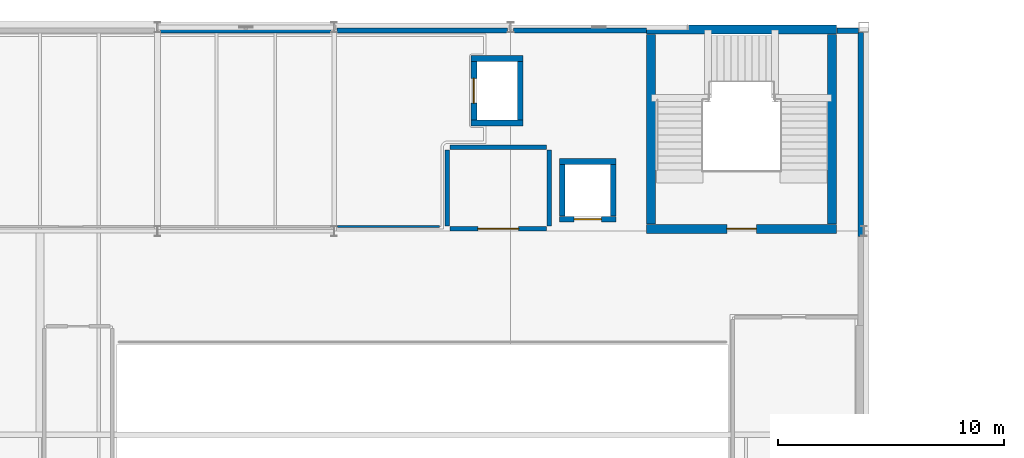
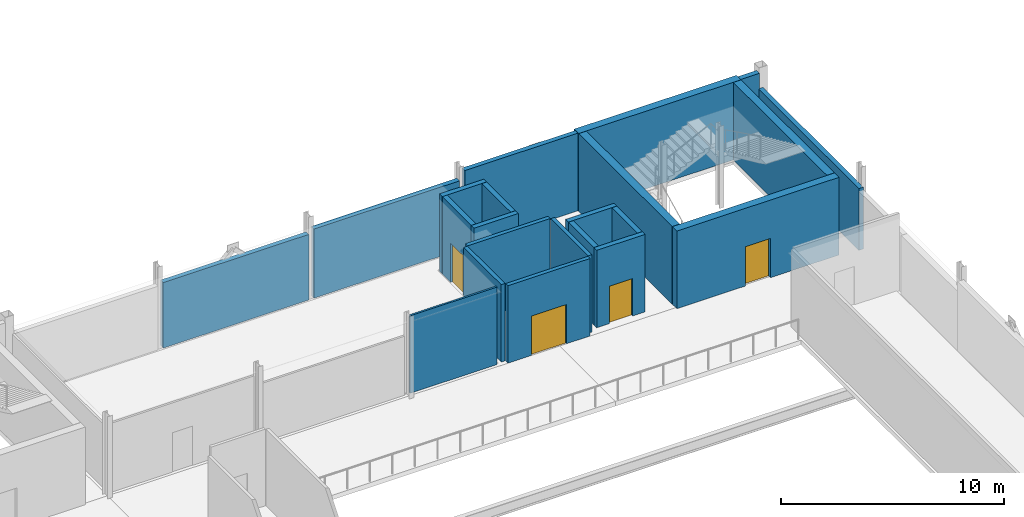
# One storey, part 79 of 85: 22 walls, 4 doors, 4 openings.
"""IFC4 building model written with IfcOpenShell, lengths in metres."""

from ifc_helpers import new_model, si_unit, derived_unit, direction, frame, frame_2d, origin, place, context, subcontext, project, spatial, rectangle, extrude, material, layer, layer_set, type_object, element, fill, save


model = new_model("IFC4")

# Units and contexts
model_context = context("Model", 3, precision=1e-05, world=origin(), true_north=direction((0.0, 1.0)))
body_context = subcontext(model_context, "Body", "Model", "MODEL_VIEW")
ifc_project = project(units=[si_unit("LENGTHUNIT", "METRE"), si_unit("AREAUNIT", "SQUARE_METRE"), si_unit("VOLUMEUNIT", "CUBIC_METRE"), si_unit("PLANEANGLEUNIT", "RADIAN"), si_unit("MASSUNIT", "GRAM", prefix="KILO"), derived_unit("THERMALTRANSMITTANCEUNIT", [(si_unit("POWERUNIT", "WATT"), 1), (si_unit("LENGTHUNIT", "METRE"), -2), (si_unit("THERMODYNAMICTEMPERATUREUNIT", "KELVIN"), -1)])], contexts=[model_context])

# Site, building, storey
site_placement = place(None, origin())
site = spatial("IfcSite", under=ifc_project, at=site_placement, CompositionType="ELEMENT")
building_placement = place(site_placement, origin())
building = spatial("IfcBuilding", under=site, at=building_placement, Name="Nallur Shell Playhouse", CompositionType="ELEMENT")
storey_placement = place(building_placement, frame((0.0, 0.0, 19.800048828125)))
storey = spatial("IfcBuildingStorey", under=building, at=storey_placement, Name="L05", CompositionType="ELEMENT", Elevation=19.800048828125)

# Wall, opening, door
ifc_material_1 = material(Name="Concrete M45", Category="concrete")
ifc_layer_1 = layer(ifc_material_1, 0.39990234375)
ifc_layer_set_1 = layer_set([ifc_layer_1], Name="Concrete M45")
wall_type_1 = type_object("IfcWallType", Name="WL-CORE-400", PredefinedType="SHEAR", material=ifc_layer_set_1)
wall_1_placement = place(storey_placement, frame((93.39990234375, 74.10009765625, 0.0), z_axis=(0.0, 0.0, 1.0), x_axis=(1.0, 0.0, 0.0)))
wall_1 = element("IfcWall", 1, at=wall_1_placement, inside=storey, type_object=wall_type_1, Name="Joint Core JC-4 shear wall S (L05)", PredefinedType="SHEAR", context=body_context, shape_type="SweptSolid", body=[
    extrude(rectangle(XDim=8.400146484375, YDim=0.39990234375, at=frame_2d((4.2001953125, 0.0))), origin(), (0.0, 0.0, 1.0), 4.25),
])
opening_1_placement = place(wall_1_placement, frame((3.550048828125, 0.0, 0.0)))
opening_1 = element("IfcOpeningElement", 2, at=opening_1_placement, cuts=wall_1, Name="Opening FD-ST2", PredefinedType="OPENING", context=body_context, shape_type="SweptSolid", body=[
    extrude(rectangle(XDim=1.300048828125, YDim=2.14990234375, at=frame_2d((0.64990234375, 1.074951171875))), frame((0.0, 0.2099609375, 0.0), z_axis=(0.0, -1.0, 0.0), x_axis=(1.0, 0.0, 0.0)), (0.0, 0.0, 1.0), 0.419921875),
])
ifc_material_2 = material(Name="Galvanised Steel Fire-Rated Stair Door", Category="steel")
door_type_1 = type_object("IfcDoorType", Name="DR-INT-STAIR-R", OperationType="SINGLE_SWING_RIGHT", PredefinedType="DOOR", material=ifc_material_2)
door_1_placement = place(opening_1_placement, origin())
door_1 = element("IfcDoor", 3, at=door_1_placement, inside=storey, type_object=door_type_1, Name="Exit stair ST-04 fire door (L05)", OperationType="SINGLE_SWING_RIGHT", OverallHeight=2.14990234375, OverallWidth=1.300048828125, PredefinedType="DOOR", context=body_context, shape_type="SweptSolid", body=[
    extrude(rectangle(XDim=1.300048828125, YDim=2.14990234375, at=frame_2d((0.64990234375, 1.074951171875))), frame((0.0, 0.02490234375, 0.0), z_axis=(0.0, -1.0, 0.0), x_axis=(1.0, 0.0, 0.0)), (0.0, 0.0, 1.0), 0.050048828125),
])
fill(opening_1, door_1)

# Walls
wall_2_placement = place(storey_placement, frame((101.800048828125, 82.89990234375, 0.0), z_axis=(0.0, 0.0, 1.0), x_axis=(-1.0, 0.0, 0.0)))
element("IfcWall", 4, at=wall_2_placement, inside=storey, type_object=wall_type_1, Name="Joint Core JC-4 shear wall N (L05)", PredefinedType="SHEAR", context=body_context, shape_type="SweptSolid", body=[
    extrude(rectangle(XDim=8.400146484375, YDim=0.39990234375, at=frame_2d((4.2001953125, 0.0))), origin(), (0.0, 0.0, 1.0), 4.25),
])
for number, where, z_axis, x_axis, name in (
    (5, (101.60009765625, 74.31005859375, 0.0), (0.0, 0.0, 1.0), (0.0, 1.0, 0.0), "Joint Core JC-4 shear wall E (L05)"),
    (6, (93.60009765625, 82.68994140625, 0.0), (0.0, 0.0, 1.0), (0.0, -1.0, 0.0), "Joint Core JC-4 shear wall W (L05)"),
):
    element("IfcWall", number, at=place(storey_placement, frame(where, z_axis=z_axis, x_axis=x_axis)), inside=storey, type_object=wall_type_1, Name=name, PredefinedType="SHEAR", context=body_context, shape_type="SweptSolid", body=[
        extrude(rectangle(XDim=8.3798828125, YDim=0.39990234375, at=frame_2d((4.18994140625, 0.0))), origin(), (0.0, 0.0, 1.0), 4.25),
    ])
ifc_material_3 = material(Name="Precast concrete M40", Category="concrete")
ifc_layer_2 = layer(ifc_material_3, 0.239990234375)
ifc_layer_set_2 = layer_set([ifc_layer_2], Name="Precast concrete M40")
wall_type_2 = type_object("IfcWallType", Name="WL-EXT-CLAD240", PredefinedType="ELEMENTEDWALL", material=ifc_layer_set_2)
wall_3_placement = place(storey_placement, frame((71.93310546875, 82.860107421875, 0.0), z_axis=(0.0, 0.0, 1.0), x_axis=(1.0, 0.0, 0.0)))
element("IfcWall", 7, at=wall_3_placement, inside=storey, type_object=wall_type_2, Name="L05 exterior wall EW-L05-207", PredefinedType="ELEMENTEDWALL", context=body_context, shape_type="SweptSolid", body=[
    extrude(rectangle(XDim=7.533935546875, YDim=0.239990234375, at=frame_2d((3.76708984375, 0.0))), origin(), (0.0, 0.0, 1.0), 3.5849609375),
])
wall_4_placement = place(storey_placement, frame((79.73291015625, 82.860107421875, 0.0), z_axis=(0.0, 0.0, 1.0), x_axis=(1.0, 0.0, 0.0)))
element("IfcWall", 8, at=wall_4_placement, inside=storey, type_object=wall_type_2, Name="L05 exterior wall EW-L05-208", PredefinedType="ELEMENTEDWALL", context=body_context, shape_type="SweptSolid", body=[
    extrude(rectangle(XDim=7.5341796875, YDim=0.239990234375, at=frame_2d((3.76708984375, 0.0))), origin(), (0.0, 0.0, 1.0), 3.784912109375),
])
wall_5_placement = place(storey_placement, frame((87.532958984375, 82.860107421875, 0.0), z_axis=(0.0, 0.0, 1.0), x_axis=(1.0, 0.0, 0.0)))
element("IfcWall", 9, at=wall_5_placement, inside=storey, type_object=wall_type_2, Name="L05 exterior wall EW-L05-209", PredefinedType="ELEMENTEDWALL", context=body_context, shape_type="SweptSolid", body=[
    extrude(rectangle(XDim=5.863037109375, YDim=0.239990234375, at=frame_2d((2.931640625, 0.0))), origin(), (0.0, 0.0, 1.0), 4.25),
])
wall_6_placement = place(storey_placement, frame((102.860107421875, 82.76708984375, 0.0), z_axis=(0.0, 0.0, 1.0), x_axis=(0.0, -1.0, 0.0)))
element("IfcWall", 10, at=wall_6_placement, inside=storey, type_object=wall_type_2, Name="L05 exterior wall EW-L05-211", PredefinedType="ELEMENTEDWALL", context=body_context, shape_type="SweptSolid", body=[
    extrude(rectangle(XDim=9.0, YDim=0.239990234375, at=frame_2d((4.5, 0.0))), origin(), (0.0, 0.0, 1.0), 3.385009765625),
])
ifc_layer_3 = layer(ifc_material_3, 0.260009765625)
ifc_layer_set_3 = layer_set([ifc_layer_3], Name="Precast concrete M40")
wall_type_3 = type_object("IfcWallType", Name="WL-EXT-CLAD260", PredefinedType="ELEMENTEDWALL", material=ifc_layer_set_3)
wall_7_placement = place(storey_placement, frame((101.803955078125, 82.85009765625, 0.0), z_axis=(0.0, 0.0, 1.0), x_axis=(1.0, 0.0, 0.0)))
element("IfcWall", 11, at=wall_7_placement, inside=storey, type_object=wall_type_3, Name="L05 exterior wall EW-L05-210", PredefinedType="ELEMENTEDWALL", context=body_context, shape_type="SweptSolid", body=[
    extrude(rectangle(XDim=0.963134765625, YDim=0.260009765625, at=frame_2d((0.4814453125, 0.0))), origin(), (0.0, 0.0, 1.0), 4.25),
])
ifc_material_4 = material(Name="Concrete M30", Category="concrete")
ifc_layer_4 = layer(ifc_material_4, 0.199951171875)
ifc_layer_set_4 = layer_set([ifc_layer_4], Name="Concrete M30")
wall_type_4 = type_object("IfcWallType", Name="WL-PART-AC200", PredefinedType="PARTITIONING", material=ifc_layer_set_4)
wall_8_placement = place(storey_placement, frame((84.60009765625, 74.219970703125, 0.0), z_axis=(0.0, 0.0, 1.0), x_axis=(0.0, 1.0, 0.0)))
element("IfcWall", 12, at=wall_8_placement, inside=storey, type_object=wall_type_4, Name="Firefighting Lobby JC-4 partition IW-L05-0344", PredefinedType="PARTITIONING", context=body_context, shape_type="SweptSolid", body=[
    extrude(rectangle(XDim=3.360107421875, YDim=0.199951171875, at=frame_2d((1.68017578125, 0.0))), origin(), (0.0, 0.0, 1.0), 4.239990234375),
])
wall_9_placement = place(storey_placement, frame((84.719970703125, 77.699951171875, 0.0), z_axis=(0.0, 0.0, 1.0), x_axis=(1.0, 0.0, 0.0)))
element("IfcWall", 13, at=wall_9_placement, inside=storey, type_object=wall_type_4, Name="Firefighting Lobby JC-4 partition IW-L05-0345", PredefinedType="PARTITIONING", context=body_context, shape_type="SweptSolid", body=[
    extrude(rectangle(XDim=4.260009765625, YDim=0.199951171875, at=frame_2d((2.1298828125, 0.0))), origin(), (0.0, 0.0, 1.0), 4.239990234375),
])
wall_10_placement = place(storey_placement, frame((89.10009765625, 77.580078125, 0.0), z_axis=(0.0, 0.0, 1.0), x_axis=(0.0, -1.0, 0.0)))
element("IfcWall", 14, at=wall_10_placement, inside=storey, type_object=wall_type_4, Name="Firefighting Lobby JC-4 partition IW-L05-0346", PredefinedType="PARTITIONING", context=body_context, shape_type="SweptSolid", body=[
    extrude(rectangle(XDim=3.360107421875, YDim=0.199951171875, at=frame_2d((1.68017578125, 0.0))), origin(), (0.0, 0.0, 1.0), 4.239990234375),
])

# Wall, opening, door
wall_11_placement = place(storey_placement, frame((88.97998046875, 74.10009765625, 0.0), z_axis=(0.0, 0.0, 1.0), x_axis=(-1.0, 0.0, 0.0)))
wall_11 = element("IfcWall", 15, at=wall_11_placement, inside=storey, type_object=wall_type_4, Name="Firefighting Lobby JC-4 partition IW-L05-0347", PredefinedType="PARTITIONING", context=body_context, shape_type="SweptSolid", body=[
    extrude(rectangle(XDim=4.260009765625, YDim=0.199951171875, at=frame_2d((2.1298828125, 0.0))), origin(), (0.0, 0.0, 1.0), 4.239990234375),
])
opening_2_placement = place(wall_11_placement, frame((1.22998046875, 0.0, 0.0)))
opening_2 = element("IfcOpeningElement", 16, at=opening_2_placement, cuts=wall_11, Name="Opening FD-FL1", PredefinedType="OPENING", context=body_context, shape_type="SweptSolid", body=[
    extrude(rectangle(XDim=1.800048828125, YDim=2.14990234375, at=frame_2d((0.89990234375, 1.074951171875))), frame((0.0, 0.10986328125, 0.0), z_axis=(0.0, -1.0, 0.0), x_axis=(1.0, 0.0, 0.0)), (0.0, 0.0, 1.0), 0.219970703125),
])
ifc_material_5 = material(Name="Firefighting Lobby Smoke-Seal Double Door")
door_type_2 = type_object("IfcDoorType", Name="DR-INT-FFL-DBL", OperationType="DOUBLE_DOOR_SINGLE_SWING", PredefinedType="DOOR", material=ifc_material_5)
door_2_placement = place(opening_2_placement, origin())
door_2 = element("IfcDoor", 17, at=door_2_placement, inside=storey, type_object=door_type_2, Name="Firefighting Lobby JC-4 smoke-seal door (L05)", OperationType="DOUBLE_DOOR_SINGLE_SWING", OverallHeight=2.14990234375, OverallWidth=1.800048828125, PredefinedType="DOOR", context=body_context, shape_type="SweptSolid", body=[
    extrude(rectangle(XDim=1.800048828125, YDim=2.14990234375, at=frame_2d((0.89990234375, 1.074951171875))), frame((0.0, 0.02490234375, 0.0), z_axis=(0.0, -1.0, 0.0), x_axis=(1.0, 0.0, 0.0)), (0.0, 0.0, 1.0), 0.050048828125),
])
fill(opening_2, door_2)

# Wall
ifc_material_6 = material(Name="Double-Layer Fire-Rated Gypsum Stud Partition")
ifc_layer_5 = layer(ifc_material_6, 0.10009765625)
ifc_layer_set_5 = layer_set([ifc_layer_5], Name="Double-Layer Fire-Rated Gypsum Stud Partition")
wall_type_5 = type_object("IfcWallType", Name="WL-PART-DRY100", PredefinedType="PARTITIONING", material=ifc_layer_set_5)
wall_12_placement = place(storey_placement, frame((84.25, 74.199951171875, 0.0), z_axis=(0.0, 0.0, 1.0), x_axis=(-1.0, 0.0, 0.0)))
element("IfcWall", 18, at=wall_12_placement, inside=storey, type_object=wall_type_5, Name="Climate-Controlled Costume Archive partition IW-L05-0367", PredefinedType="PARTITIONING", context=body_context, shape_type="SweptSolid", body=[
    extrude(rectangle(XDim=4.510009765625, YDim=0.10009765625, at=frame_2d((2.2548828125, 0.0))), origin(), (0.0, 0.0, 1.0), 4.239990234375),
])

# Wall, opening, door
ifc_layer_6 = layer(ifc_material_1, 0.25)
ifc_layer_set_6 = layer_set([ifc_layer_6], Name="Concrete M45")
wall_type_6 = type_object("IfcWallType", Name="WL-SHAFT-250", PredefinedType="STANDARD", material=ifc_layer_set_6)
wall_13_placement = place(storey_placement, frame((89.550048828125, 74.52490234375, 0.0), z_axis=(0.0, 0.0, 1.0), x_axis=(1.0, 0.0, 0.0)))
wall_13 = element("IfcWall", 19, at=wall_13_placement, inside=storey, type_object=wall_type_6, Name="Fireman's Lift FL-2 shaft wall south (L05)", PredefinedType="STANDARD", context=body_context, shape_type="SweptSolid", body=[
    extrude(rectangle(XDim=2.5, YDim=0.25, at=frame_2d((1.25, 0.0))), origin(), (0.0, 0.0, 1.0), 4.239990234375),
])
opening_3_placement = place(wall_13_placement, frame((0.64990234375, 0.0, 0.0)))
opening_3 = element("IfcOpeningElement", 20, at=opening_3_placement, cuts=wall_13, Name="Opening LD-F1", PredefinedType="OPENING", context=body_context, shape_type="SweptSolid", body=[
    extrude(rectangle(XDim=1.199951171875, YDim=2.050048828125, at=frame_2d((0.60009765625, 1.02490234375))), frame((0.0, 0.135009765625, 0.0), z_axis=(0.0, -1.0, 0.0), x_axis=(1.0, 0.0, 0.0)), (0.0, 0.0, 1.0), 0.27001953125),
])
ifc_material_7 = material(Name="Fireman Lift Fire-Rated Sliding Landing Door")
door_type_3 = type_object("IfcDoorType", Name="DR-LIFT-FIRE", OperationType="DOUBLE_DOOR_SLIDING", PredefinedType="DOOR", material=ifc_material_7)
door_3_placement = place(opening_3_placement, origin())
door_3 = element("IfcDoor", 21, at=door_3_placement, inside=storey, type_object=door_type_3, Name="Fireman's Lift FL-2 sliding landing door (L05)", OperationType="DOUBLE_DOOR_SLIDING", OverallHeight=2.050048828125, OverallWidth=1.199951171875, PredefinedType="DOOR", context=body_context, shape_type="SweptSolid", body=[
    extrude(rectangle(XDim=1.199951171875, YDim=2.050048828125, at=frame_2d((0.60009765625, 1.02490234375))), frame((0.0, 0.02490234375, 0.0), z_axis=(0.0, -1.0, 0.0), x_axis=(1.0, 0.0, 0.0)), (0.0, 0.0, 1.0), 0.050048828125),
])
fill(opening_3, door_3)

# Walls
wall_14_placement = place(storey_placement, frame((92.050048828125, 77.074951171875, 0.0), z_axis=(0.0, 0.0, 1.0), x_axis=(-1.0, 0.0, 0.0)))
element("IfcWall", 22, at=wall_14_placement, inside=storey, type_object=wall_type_6, Name="Fireman's Lift FL-2 shaft wall north (L05)", PredefinedType="STANDARD", context=body_context, shape_type="SweptSolid", body=[
    extrude(rectangle(XDim=2.5, YDim=0.25, at=frame_2d((1.25, 0.0))), origin(), (0.0, 0.0, 1.0), 4.239990234375),
])
for number, where, z_axis, x_axis, name in (
    (23, (91.925048828125, 74.659912109375, 0.0), (0.0, 0.0, 1.0), (0.0, 1.0, 0.0), "Fireman's Lift FL-2 shaft wall east (L05)"),
    (24, (89.675048828125, 76.93994140625, 0.0), (0.0, 0.0, 1.0), (0.0, -1.0, 0.0), "Fireman's Lift FL-2 shaft wall west (L05)"),
):
    element("IfcWall", number, at=place(storey_placement, frame(where, z_axis=z_axis, x_axis=x_axis)), inside=storey, type_object=wall_type_6, Name=name, PredefinedType="STANDARD", context=body_context, shape_type="SweptSolid", body=[
        extrude(rectangle(XDim=2.280029296875, YDim=0.25, at=frame_2d((1.14013671875, 0.0))), origin(), (0.0, 0.0, 1.0), 4.239990234375),
    ])
for number, where, z_axis, x_axis, name in (
    (25, (85.64990234375, 78.77490234375, 0.0), (0.0, 0.0, 1.0), (1.0, 0.0, 0.0), "Passenger Lift PL-4 shaft wall south (L05)"),
    (26, (87.949951171875, 81.625, 0.0), (0.0, 0.0, 1.0), (-1.0, 0.0, 0.0), "Passenger Lift PL-4 shaft wall north (L05)"),
):
    element("IfcWall", number, at=place(storey_placement, frame(where, z_axis=z_axis, x_axis=x_axis)), inside=storey, type_object=wall_type_6, Name=name, PredefinedType="STANDARD", context=body_context, shape_type="SweptSolid", body=[
        extrude(rectangle(XDim=2.300048828125, YDim=0.25, at=frame_2d((1.14990234375, 0.0))), origin(), (0.0, 0.0, 1.0), 4.239990234375),
    ])
wall_15_placement = place(storey_placement, frame((87.824951171875, 78.909912109375, 0.0), z_axis=(0.0, 0.0, 1.0), x_axis=(0.0, 1.0, 0.0)))
element("IfcWall", 27, at=wall_15_placement, inside=storey, type_object=wall_type_6, Name="Passenger Lift PL-4 shaft wall east (L05)", PredefinedType="STANDARD", context=body_context, shape_type="SweptSolid", body=[
    extrude(rectangle(XDim=2.580078125, YDim=0.25, at=frame_2d((1.2900390625, 0.0))), origin(), (0.0, 0.0, 1.0), 4.239990234375),
])

# Wall, opening, door
wall_16_placement = place(storey_placement, frame((85.77490234375, 81.489990234375, 0.0), z_axis=(0.0, 0.0, 1.0), x_axis=(0.0, -1.0, 0.0)))
wall_16 = element("IfcWall", 28, at=wall_16_placement, inside=storey, type_object=wall_type_6, Name="Passenger Lift PL-4 shaft wall west (L05)", PredefinedType="STANDARD", context=body_context, shape_type="SweptSolid", body=[
    extrude(rectangle(XDim=2.580078125, YDim=0.25, at=frame_2d((1.2900390625, 0.0))), origin(), (0.0, 0.0, 1.0), 4.239990234375),
])
opening_4_placement = place(wall_16_placement, frame((0.739990234375, 0.0, 0.0)))
opening_4 = element("IfcOpeningElement", 29, at=opening_4_placement, cuts=wall_16, Name="Opening LD-P1", PredefinedType="OPENING", context=body_context, shape_type="SweptSolid", body=[
    extrude(rectangle(XDim=1.10009765625, YDim=2.14990234375, at=frame_2d((0.550048828125, 1.074951171875))), frame((0.0, 0.135009765625, 0.0), z_axis=(0.0, -1.0, 0.0), x_axis=(1.0, 0.0, 0.0)), (0.0, 0.0, 1.0), 0.27001953125),
])
ifc_material_8 = material(Name="Brushed Stainless Steel Lift Landing Door", Category="steel")
door_type_4 = type_object("IfcDoorType", Name="DR-LIFT-PASS", OperationType="DOUBLE_DOOR_SLIDING", PredefinedType="DOOR", material=ifc_material_8)
door_4_placement = place(opening_4_placement, origin())
door_4 = element("IfcDoor", 30, at=door_4_placement, inside=storey, type_object=door_type_4, Name="Passenger Lift PL-4 sliding landing door (L05)", OperationType="DOUBLE_DOOR_SLIDING", OverallHeight=2.14990234375, OverallWidth=1.10009765625, PredefinedType="DOOR", context=body_context, shape_type="SweptSolid", body=[
    extrude(rectangle(XDim=1.10009765625, YDim=2.14990234375, at=frame_2d((0.550048828125, 1.074951171875))), frame((0.0, 0.02490234375, 0.0), z_axis=(0.0, -1.0, 0.0), x_axis=(1.0, 0.0, 0.0)), (0.0, 0.0, 1.0), 0.050048828125),
])
fill(opening_4, door_4)

save(model, "model.ifc")
